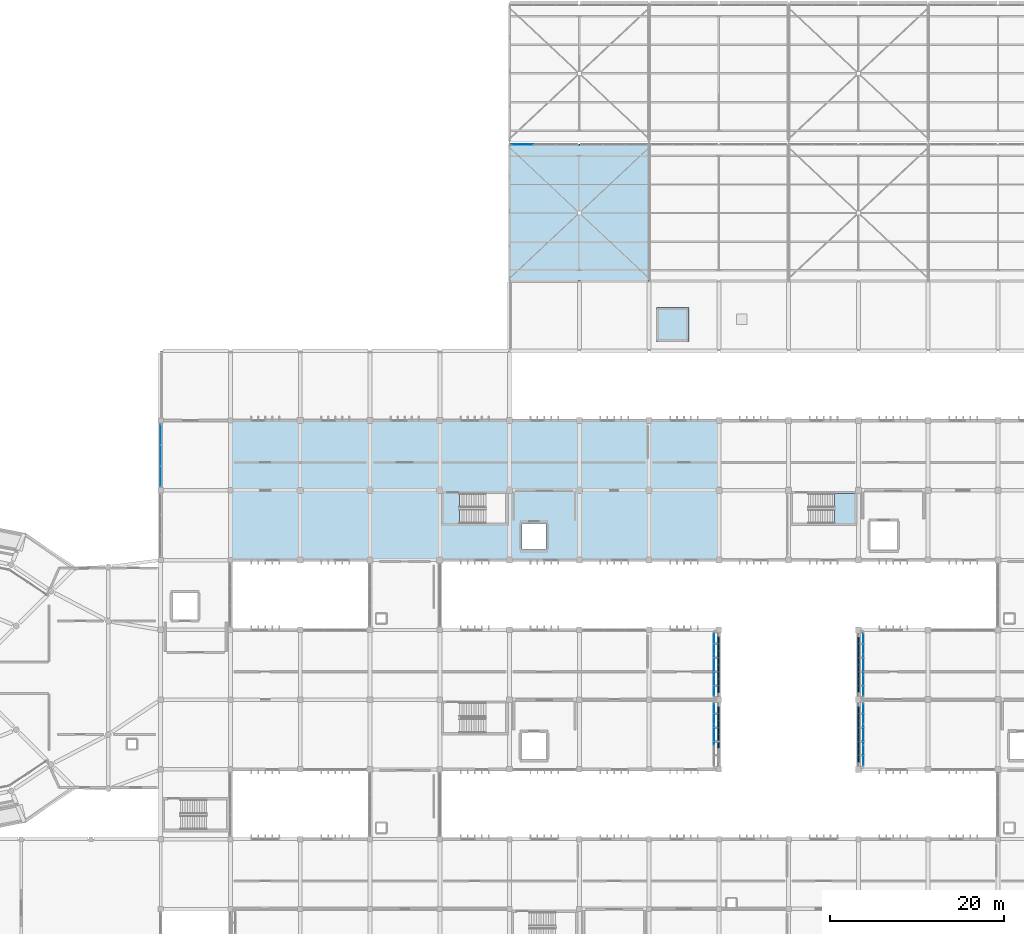
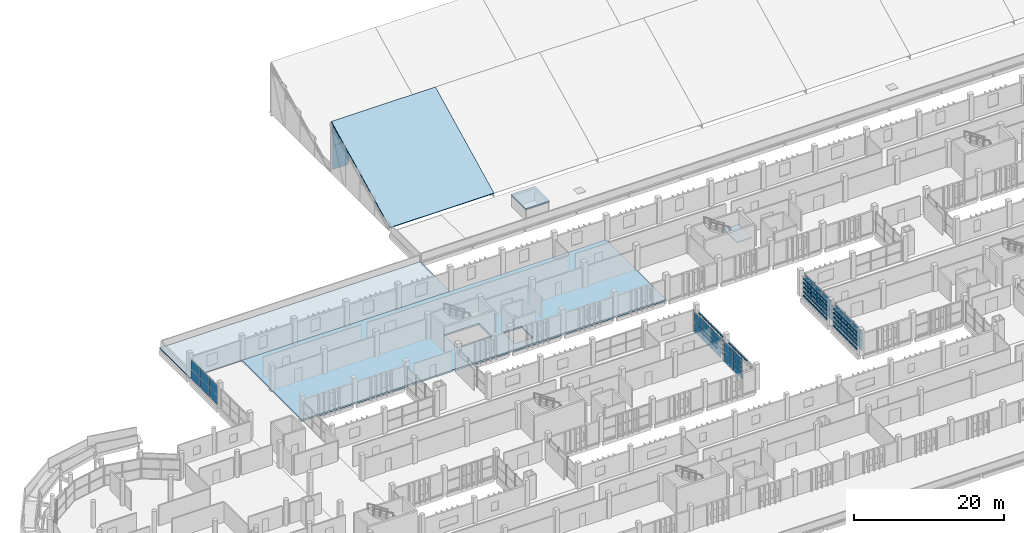
# One storey, part 93 of 137: 101 plates, 5 slabs, 7 elements without a shape of their own.
"""IFC4 building model written with IfcOpenShell, lengths in metres."""

from ifc_helpers import new_model, si_unit, direction, frame, origin, origin_2d, place, context, subcontext, project, spatial, polyline, rectangle, outline, extrude, material, layer, layer_set, type_object, element, aggregate, save


model = new_model("IFC4")

# Units and contexts
model_context = context("Model", 3, precision=1e-05, world=origin(), true_north=direction((0.0, 1.0)))
body_context = subcontext(model_context, "Body", "Model", "MODEL_VIEW")
ifc_project = project(units=[si_unit("LENGTHUNIT", "METRE"), si_unit("AREAUNIT", "SQUARE_METRE"), si_unit("VOLUMEUNIT", "CUBIC_METRE"), si_unit("PLANEANGLEUNIT", "RADIAN"), si_unit("MASSUNIT", "GRAM", prefix="KILO")], contexts=[model_context])

# Site, building, storey
site_placement = place(None, origin())
site = spatial("IfcSite", under=ifc_project, at=site_placement, CompositionType="ELEMENT")
building_placement = place(site_placement, origin())
building = spatial("IfcBuilding", under=site, at=building_placement, Name="Jelvoka-Kovrelna Polytechnic", CompositionType="ELEMENT")
storey_placement = place(building_placement, frame((0.0, 0.0, 9.60009765625)))
storey = spatial("IfcBuildingStorey", under=building, at=storey_placement, Name="L03", CompositionType="ELEMENT", Elevation=9.60009765625)

# Curtain wall, plates
ifc_material_1 = material(Name="Anodised aluminium 6063-T6", Category="aluminium")
ifc_layer_1 = layer(ifc_material_1, 0.159912109375)
ifc_layer_set_1 = layer_set([ifc_layer_1], Name="Anodised aluminium 6063-T6")
curtain_wall_type_1 = type_object("IfcCurtainWallType", Name="CW_Recessed_A", PredefinedType="NOTDEFINED", material=ifc_layer_set_1)
curtain_wall_1_placement = place(storey_placement, origin())
curtain_wall_1 = element("IfcCurtainWall", 1, at=curtain_wall_1_placement, inside=storey, type_object=curtain_wall_type_1, Name="L03 glazed curtain wall 025", PredefinedType="NOTDEFINED")
ifc_material_2 = material(Name="Solar-control double glazing", Category="glass")
ifc_layer_2 = layer(ifc_material_2, 0.028076171875)
ifc_layer_set_2 = layer_set([ifc_layer_2], Name="Solar-control double glazing")
plate_type_1 = type_object("IfcPlateType", Name="Panel_GP-01", PredefinedType="CURTAIN_PANEL", material=ifc_layer_set_2)
plate_1_placement = place(storey_placement, frame((111.43994140625, 38.385009765625, 0.0517578125), z_axis=(0.0, 0.0, 1.0), x_axis=(0.0, -1.0, 0.0)))
plate_1 = element("IfcPlate", 2, at=plate_1_placement, type_object=plate_type_1, Name="CW-01 panel 1.1", PredefinedType="CURTAIN_PANEL", context=body_context, shape_type="SweptSolid", body=[
    extrude(rectangle(XDim=2.326171875, YDim=0.028076171875, at=origin_2d()), origin(), (0.0, 0.0, 1.0), 1.60107421875),
])
plate_2_placement = place(storey_placement, frame((111.43994140625, 38.385009765625, 1.69677734375), z_axis=(0.0, 0.0, 1.0), x_axis=(0.0, -1.0, 0.0)))
plate_2 = element("IfcPlate", 3, at=plate_2_placement, type_object=plate_type_1, Name="CW-01 panel 1.2", PredefinedType="CURTAIN_PANEL", context=body_context, shape_type="SweptSolid", body=[
    extrude(rectangle(XDim=2.326171875, YDim=0.028076171875, at=origin_2d()), origin(), (0.0, 0.0, 1.0), 1.60107421875),
])
plate_3_placement = place(storey_placement, frame((111.43994140625, 36.0, 0.0517578125), z_axis=(0.0, 0.0, 1.0), x_axis=(0.0, -1.0, 0.0)))
plate_3 = element("IfcPlate", 4, at=plate_3_placement, type_object=plate_type_1, Name="CW-01 panel 2.1", PredefinedType="CURTAIN_PANEL", context=body_context, shape_type="SweptSolid", body=[
    extrude(rectangle(XDim=2.356201171875, YDim=0.028076171875, at=origin_2d()), origin(), (0.0, 0.0, 1.0), 1.60107421875),
])
plate_4_placement = place(storey_placement, frame((111.43994140625, 36.0, 1.69677734375), z_axis=(0.0, 0.0, 1.0), x_axis=(0.0, -1.0, 0.0)))
plate_4 = element("IfcPlate", 5, at=plate_4_placement, type_object=plate_type_1, Name="CW-01 panel 2.2", PredefinedType="CURTAIN_PANEL", context=body_context, shape_type="SweptSolid", body=[
    extrude(rectangle(XDim=2.356201171875, YDim=0.028076171875, at=origin_2d()), origin(), (0.0, 0.0, 1.0), 1.60107421875),
])
aggregate(curtain_wall_1, [plate_1, plate_2, plate_3, plate_4])

curtain_wall_2_placement = place(storey_placement, origin())
curtain_wall_2 = element("IfcCurtainWall", 6, at=curtain_wall_2_placement, inside=storey, type_object=curtain_wall_type_1, Name="L03 glazed curtain wall 026", PredefinedType="NOTDEFINED")
plate_5_placement = place(storey_placement, frame((111.43994140625, 46.385009765625, 0.0517578125), z_axis=(0.0, 0.0, 1.0), x_axis=(0.0, -1.0, 0.0)))
plate_5 = element("IfcPlate", 7, at=plate_5_placement, type_object=plate_type_1, Name="CW-01 panel 1.1", PredefinedType="CURTAIN_PANEL", context=body_context, shape_type="SweptSolid", body=[
    extrude(rectangle(XDim=2.326171875, YDim=0.028076171875, at=origin_2d()), origin(), (0.0, 0.0, 1.0), 1.60107421875),
])
plate_6_placement = place(storey_placement, frame((111.43994140625, 46.385009765625, 1.69677734375), z_axis=(0.0, 0.0, 1.0), x_axis=(0.0, -1.0, 0.0)))
plate_6 = element("IfcPlate", 8, at=plate_6_placement, type_object=plate_type_1, Name="CW-01 panel 1.2", PredefinedType="CURTAIN_PANEL", context=body_context, shape_type="SweptSolid", body=[
    extrude(rectangle(XDim=2.326171875, YDim=0.028076171875, at=origin_2d()), origin(), (0.0, 0.0, 1.0), 1.60107421875),
])
plate_7_placement = place(storey_placement, frame((111.43994140625, 44.0, 0.0517578125), z_axis=(0.0, 0.0, 1.0), x_axis=(0.0, -1.0, 0.0)))
plate_7 = element("IfcPlate", 9, at=plate_7_placement, type_object=plate_type_1, Name="CW-01 panel 2.1", PredefinedType="CURTAIN_PANEL", context=body_context, shape_type="SweptSolid", body=[
    extrude(rectangle(XDim=2.356201171875, YDim=0.028076171875, at=origin_2d()), origin(), (0.0, 0.0, 1.0), 1.60107421875),
])
plate_8_placement = place(storey_placement, frame((111.43994140625, 44.0, 1.69677734375), z_axis=(0.0, 0.0, 1.0), x_axis=(0.0, -1.0, 0.0)))
plate_8 = element("IfcPlate", 10, at=plate_8_placement, type_object=plate_type_1, Name="CW-01 panel 2.2", PredefinedType="CURTAIN_PANEL", context=body_context, shape_type="SweptSolid", body=[
    extrude(rectangle(XDim=2.356201171875, YDim=0.028076171875, at=origin_2d()), origin(), (0.0, 0.0, 1.0), 1.60107421875),
])
plate_9_placement = place(storey_placement, frame((111.43994140625, 41.614990234375, 0.0517578125), z_axis=(0.0, 0.0, 1.0), x_axis=(0.0, -1.0, 0.0)))
plate_9 = element("IfcPlate", 11, at=plate_9_placement, type_object=plate_type_1, Name="CW-01 panel 3.1", PredefinedType="CURTAIN_PANEL", context=body_context, shape_type="SweptSolid", body=[
    extrude(rectangle(XDim=2.326171875, YDim=0.028076171875, at=origin_2d()), origin(), (0.0, 0.0, 1.0), 1.60107421875),
])
plate_10_placement = place(storey_placement, frame((111.43994140625, 41.614990234375, 1.69677734375), z_axis=(0.0, 0.0, 1.0), x_axis=(0.0, -1.0, 0.0)))
plate_10 = element("IfcPlate", 12, at=plate_10_placement, type_object=plate_type_1, Name="CW-01 panel 3.2", PredefinedType="CURTAIN_PANEL", context=body_context, shape_type="SweptSolid", body=[
    extrude(rectangle(XDim=2.326171875, YDim=0.028076171875, at=origin_2d()), origin(), (0.0, 0.0, 1.0), 1.60107421875),
])
aggregate(curtain_wall_2, [plate_5, plate_6, plate_7, plate_8, plate_9, plate_10])

curtain_wall_3_placement = place(storey_placement, origin())
curtain_wall_3 = element("IfcCurtainWall", 13, at=curtain_wall_3_placement, inside=storey, type_object=curtain_wall_type_1, Name="L03 glazed curtain wall 058", PredefinedType="NOTDEFINED")
plate_11_placement = place(storey_placement, frame((128.56005859375, 33.614990234375, 0.0517578125), z_axis=(0.0, 0.0, 1.0), x_axis=(0.0, 1.0, 0.0)))
plate_11 = element("IfcPlate", 14, at=plate_11_placement, type_object=plate_type_1, Name="CW-01 panel 1.1", PredefinedType="CURTAIN_PANEL", context=body_context, shape_type="SweptSolid", body=[
    extrude(rectangle(XDim=2.326171875, YDim=0.028076171875, at=origin_2d()), origin(), (0.0, 0.0, 1.0), 1.60107421875),
])
plate_12_placement = place(storey_placement, frame((128.56005859375, 33.614990234375, 1.69677734375), z_axis=(0.0, 0.0, 1.0), x_axis=(0.0, 1.0, 0.0)))
plate_12 = element("IfcPlate", 15, at=plate_12_placement, type_object=plate_type_1, Name="CW-01 panel 1.2", PredefinedType="CURTAIN_PANEL", context=body_context, shape_type="SweptSolid", body=[
    extrude(rectangle(XDim=2.326171875, YDim=0.028076171875, at=origin_2d()), origin(), (0.0, 0.0, 1.0), 1.60107421875),
])
plate_13_placement = place(storey_placement, frame((128.56005859375, 36.0, 0.0517578125), z_axis=(0.0, 0.0, 1.0), x_axis=(0.0, 1.0, 0.0)))
plate_13 = element("IfcPlate", 16, at=plate_13_placement, type_object=plate_type_1, Name="CW-01 panel 2.1", PredefinedType="CURTAIN_PANEL", context=body_context, shape_type="SweptSolid", body=[
    extrude(rectangle(XDim=2.356201171875, YDim=0.028076171875, at=origin_2d()), origin(), (0.0, 0.0, 1.0), 1.60107421875),
])
plate_14_placement = place(storey_placement, frame((128.56005859375, 36.0, 1.69677734375), z_axis=(0.0, 0.0, 1.0), x_axis=(0.0, 1.0, 0.0)))
plate_14 = element("IfcPlate", 17, at=plate_14_placement, type_object=plate_type_1, Name="CW-01 panel 2.2", PredefinedType="CURTAIN_PANEL", context=body_context, shape_type="SweptSolid", body=[
    extrude(rectangle(XDim=2.356201171875, YDim=0.028076171875, at=origin_2d()), origin(), (0.0, 0.0, 1.0), 1.60107421875),
])
plate_15_placement = place(storey_placement, frame((128.56005859375, 38.385009765625, 0.0517578125), z_axis=(0.0, 0.0, 1.0), x_axis=(0.0, 1.0, 0.0)))
plate_15 = element("IfcPlate", 18, at=plate_15_placement, type_object=plate_type_1, Name="CW-01 panel 3.1", PredefinedType="CURTAIN_PANEL", context=body_context, shape_type="SweptSolid", body=[
    extrude(rectangle(XDim=2.326171875, YDim=0.028076171875, at=origin_2d()), origin(), (0.0, 0.0, 1.0), 1.60107421875),
])
plate_16_placement = place(storey_placement, frame((128.56005859375, 38.385009765625, 1.69677734375), z_axis=(0.0, 0.0, 1.0), x_axis=(0.0, 1.0, 0.0)))
plate_16 = element("IfcPlate", 19, at=plate_16_placement, type_object=plate_type_1, Name="CW-01 panel 3.2", PredefinedType="CURTAIN_PANEL", context=body_context, shape_type="SweptSolid", body=[
    extrude(rectangle(XDim=2.326171875, YDim=0.028076171875, at=origin_2d()), origin(), (0.0, 0.0, 1.0), 1.60107421875),
])
aggregate(curtain_wall_3, [plate_11, plate_12, plate_13, plate_14, plate_15, plate_16])

curtain_wall_4_placement = place(storey_placement, origin())
curtain_wall_4 = element("IfcCurtainWall", 20, at=curtain_wall_4_placement, inside=storey, type_object=curtain_wall_type_1, Name="L03 glazed curtain wall 059", PredefinedType="NOTDEFINED")
plate_17_placement = place(storey_placement, frame((128.56005859375, 41.614990234375, 0.0517578125), z_axis=(0.0, 0.0, 1.0), x_axis=(0.0, 1.0, 0.0)))
plate_17 = element("IfcPlate", 21, at=plate_17_placement, type_object=plate_type_1, Name="CW-01 panel 1.1", PredefinedType="CURTAIN_PANEL", context=body_context, shape_type="SweptSolid", body=[
    extrude(rectangle(XDim=2.326171875, YDim=0.028076171875, at=origin_2d()), origin(), (0.0, 0.0, 1.0), 1.60107421875),
])
plate_18_placement = place(storey_placement, frame((128.56005859375, 41.614990234375, 1.69677734375), z_axis=(0.0, 0.0, 1.0), x_axis=(0.0, 1.0, 0.0)))
plate_18 = element("IfcPlate", 22, at=plate_18_placement, type_object=plate_type_1, Name="CW-01 panel 1.2", PredefinedType="CURTAIN_PANEL", context=body_context, shape_type="SweptSolid", body=[
    extrude(rectangle(XDim=2.326171875, YDim=0.028076171875, at=origin_2d()), origin(), (0.0, 0.0, 1.0), 1.60107421875),
])
plate_19_placement = place(storey_placement, frame((128.56005859375, 44.0, 0.0517578125), z_axis=(0.0, 0.0, 1.0), x_axis=(0.0, 1.0, 0.0)))
plate_19 = element("IfcPlate", 23, at=plate_19_placement, type_object=plate_type_1, Name="CW-01 panel 2.1", PredefinedType="CURTAIN_PANEL", context=body_context, shape_type="SweptSolid", body=[
    extrude(rectangle(XDim=2.356201171875, YDim=0.028076171875, at=origin_2d()), origin(), (0.0, 0.0, 1.0), 1.60107421875),
])
plate_20_placement = place(storey_placement, frame((128.56005859375, 44.0, 1.69677734375), z_axis=(0.0, 0.0, 1.0), x_axis=(0.0, 1.0, 0.0)))
plate_20 = element("IfcPlate", 24, at=plate_20_placement, type_object=plate_type_1, Name="CW-01 panel 2.2", PredefinedType="CURTAIN_PANEL", context=body_context, shape_type="SweptSolid", body=[
    extrude(rectangle(XDim=2.356201171875, YDim=0.028076171875, at=origin_2d()), origin(), (0.0, 0.0, 1.0), 1.60107421875),
])
plate_21_placement = place(storey_placement, frame((128.56005859375, 46.385009765625, 0.0517578125), z_axis=(0.0, 0.0, 1.0), x_axis=(0.0, 1.0, 0.0)))
plate_21 = element("IfcPlate", 25, at=plate_21_placement, type_object=plate_type_1, Name="CW-01 panel 3.1", PredefinedType="CURTAIN_PANEL", context=body_context, shape_type="SweptSolid", body=[
    extrude(rectangle(XDim=2.326171875, YDim=0.028076171875, at=origin_2d()), origin(), (0.0, 0.0, 1.0), 1.60107421875),
])
plate_22_placement = place(storey_placement, frame((128.56005859375, 46.385009765625, 1.69677734375), z_axis=(0.0, 0.0, 1.0), x_axis=(0.0, 1.0, 0.0)))
plate_22 = element("IfcPlate", 26, at=plate_22_placement, type_object=plate_type_1, Name="CW-01 panel 3.2", PredefinedType="CURTAIN_PANEL", context=body_context, shape_type="SweptSolid", body=[
    extrude(rectangle(XDim=2.326171875, YDim=0.028076171875, at=origin_2d()), origin(), (0.0, 0.0, 1.0), 1.60107421875),
])
aggregate(curtain_wall_4, [plate_17, plate_18, plate_19, plate_20, plate_21, plate_22])

ifc_material_3 = material(Name="Anodised aluminium 6063-T6", Category="aluminium")
ifc_layer_3 = layer(ifc_material_3, 0.199951171875)
ifc_layer_set_3 = layer_set([ifc_layer_3], Name="Anodised aluminium 6063-T6")
curtain_wall_type_2 = type_object("IfcCurtainWallType", Name="CW_Clerestory", PredefinedType="NOTDEFINED", material=ifc_layer_set_3)
curtain_wall_5_placement = place(storey_placement, origin())
curtain_wall_5 = element("IfcCurtainWall", 27, at=curtain_wall_5_placement, inside=storey, type_object=curtain_wall_type_2, Name="L03 glazed curtain wall 183", PredefinedType="NOTDEFINED")
ifc_material_4 = material(Name="Solar-control double glazing", Category="glass")
ifc_layer_4 = layer(ifc_material_4, 0.035888671875)
ifc_layer_set_4 = layer_set([ifc_layer_4], Name="Solar-control double glazing")
plate_type_2 = type_object("IfcPlateType", Name="Panel_GP-03", PredefinedType="CURTAIN_PANEL", material=ifc_layer_set_4)
plate_23_placement = place(storey_placement, frame((89.450927734375, 103.64990234375, 0.511962890625), z_axis=(0.0, 0.0, 1.0), x_axis=(1.0, 0.0, 0.0)))
plate_23 = element("IfcPlate", 28, at=plate_23_placement, type_object=plate_type_2, Name="CW-03 panel 1.1", PredefinedType="CURTAIN_PANEL", context=body_context, shape_type="SweptSolid", body=[
    extrude(rectangle(XDim=2.477783203125, YDim=0.035888671875, at=origin_2d()), origin(), (0.0, 0.0, 1.0), 3.81103515625),
])
plate_24_placement = place(storey_placement, frame((89.450927734375, 103.64990234375, 4.376953125), z_axis=(0.0, 0.0, 1.0), x_axis=(1.0, 0.0, 0.0)))
plate_24 = element("IfcPlate", 29, at=plate_24_placement, type_object=plate_type_2, Name="CW-03 panel 1.2", PredefinedType="CURTAIN_PANEL", context=body_context, shape_type="SweptSolid", body=[
    extrude(rectangle(XDim=2.477783203125, YDim=0.035888671875, at=origin_2d()), origin(), (0.0, 0.0, 1.0), 3.81103515625),
])
aggregate(curtain_wall_5, [plate_23, plate_24])

ifc_material_5 = material(Name="Anodised aluminium 6063-T6", Category="aluminium")
ifc_layer_5 = layer(ifc_material_5, 0.179931640625)
ifc_layer_set_5 = layer_set([ifc_layer_5], Name="Anodised aluminium 6063-T6")
curtain_wall_type_3 = type_object("IfcCurtainWallType", Name="CW_Pavilion", PredefinedType="NOTDEFINED", material=ifc_layer_set_5)
curtain_wall_6_placement = place(storey_placement, origin())
curtain_wall_6 = element("IfcCurtainWall", 30, at=curtain_wall_6_placement, inside=storey, type_object=curtain_wall_type_3, Name="L03 glazed curtain wall 131", PredefinedType="NOTDEFINED")
ifc_material_6 = material(Name="Solar-control double glazing", Category="glass")
ifc_layer_6 = layer(ifc_material_6, 0.030029296875)
ifc_layer_set_6 = layer_set([ifc_layer_6], Name="Solar-control double glazing")
plate_type_3 = type_object("IfcPlateType", Name="Panel_GP-05", PredefinedType="CURTAIN_PANEL", material=ifc_layer_set_6)
plate_25_placement = place(storey_placement, frame((48.0, 65.6162109375, 0.056884765625), z_axis=(0.0, 0.0, 1.0), x_axis=(0.0, 1.0, 0.0)))
plate_25 = element("IfcPlate", 31, at=plate_25_placement, type_object=plate_type_3, Name="CW-05 panel 1.1", PredefinedType="CURTAIN_PANEL", context=body_context, shape_type="SweptSolid", body=[
    extrude(rectangle(XDim=2.318603515625, YDim=0.030029296875, at=origin_2d()), origin(), (0.0, 0.0, 1.0), 1.531005859375),
])
plate_26_placement = place(storey_placement, frame((48.0, 65.6162109375, 1.636962890625), z_axis=(0.0, 0.0, 1.0), x_axis=(0.0, 1.0, 0.0)))
plate_26 = element("IfcPlate", 32, at=plate_26_placement, type_object=plate_type_3, Name="CW-05 panel 1.2", PredefinedType="CURTAIN_PANEL", context=body_context, shape_type="SweptSolid", body=[
    extrude(rectangle(XDim=2.318603515625, YDim=0.030029296875, at=origin_2d()), origin(), (0.0, 0.0, 1.0), 1.531005859375),
])
plate_27_placement = place(storey_placement, frame((48.0, 68.0, 0.056884765625), z_axis=(0.0, 0.0, 1.0), x_axis=(0.0, 1.0, 0.0)))
plate_27 = element("IfcPlate", 33, at=plate_27_placement, type_object=plate_type_3, Name="CW-05 panel 2.1", PredefinedType="CURTAIN_PANEL", context=body_context, shape_type="SweptSolid", body=[
    extrude(rectangle(XDim=2.35107421875, YDim=0.030029296875, at=origin_2d()), origin(), (0.0, 0.0, 1.0), 1.531005859375),
])
plate_28_placement = place(storey_placement, frame((48.0, 68.0, 1.636962890625), z_axis=(0.0, 0.0, 1.0), x_axis=(0.0, 1.0, 0.0)))
plate_28 = element("IfcPlate", 34, at=plate_28_placement, type_object=plate_type_3, Name="CW-05 panel 2.2", PredefinedType="CURTAIN_PANEL", context=body_context, shape_type="SweptSolid", body=[
    extrude(rectangle(XDim=2.35107421875, YDim=0.030029296875, at=origin_2d()), origin(), (0.0, 0.0, 1.0), 1.531005859375),
])
plate_29_placement = place(storey_placement, frame((48.0, 70.3837890625, 0.056884765625), z_axis=(0.0, 0.0, 1.0), x_axis=(0.0, 1.0, 0.0)))
plate_29 = element("IfcPlate", 35, at=plate_29_placement, type_object=plate_type_3, Name="CW-05 panel 3.1", PredefinedType="CURTAIN_PANEL", context=body_context, shape_type="SweptSolid", body=[
    extrude(rectangle(XDim=2.318603515625, YDim=0.030029296875, at=origin_2d()), origin(), (0.0, 0.0, 1.0), 1.531005859375),
])
plate_30_placement = place(storey_placement, frame((48.0, 70.3837890625, 1.636962890625), z_axis=(0.0, 0.0, 1.0), x_axis=(0.0, 1.0, 0.0)))
plate_30 = element("IfcPlate", 36, at=plate_30_placement, type_object=plate_type_3, Name="CW-05 panel 3.2", PredefinedType="CURTAIN_PANEL", context=body_context, shape_type="SweptSolid", body=[
    extrude(rectangle(XDim=2.318603515625, YDim=0.030029296875, at=origin_2d()), origin(), (0.0, 0.0, 1.0), 1.531005859375),
])
aggregate(curtain_wall_6, [plate_25, plate_26, plate_27, plate_28, plate_29, plate_30])

# Plates
ifc_material_7 = material(Name="Perforated fired terracotta block", Category="masonry")
ifc_layer_7 = layer(ifc_material_7, 0.179931640625)
ifc_layer_set_7 = layer_set([ifc_layer_7], Name="Perforated fired terracotta block")
plate_type_4 = type_object("IfcPlateType", Name="Screen_Terracotta_TP02", PredefinedType="USERDEFINED", material=ifc_layer_set_7)
for number, where, z_axis, x_axis, name in (
    (37, (111.97998046875, 35.199951171875, 2.9697265625), (0.0, 0.0, 1.0), (0.0, 1.0, 0.0), "L03 perforated terracotta lattice band 0250"),
    (38, (111.97998046875, 36.800048828125, 0.19970703125), (0.0, 0.0, 1.0), (0.0, 1.0, 0.0), "L03 perforated terracotta lattice band 0251"),
    (39, (111.97998046875, 36.800048828125, 0.892578125), (0.0, 0.0, 1.0), (0.0, 1.0, 0.0), "L03 perforated terracotta lattice band 0252"),
    (40, (111.97998046875, 36.800048828125, 1.5849609375), (0.0, 0.0, 1.0), (0.0, 1.0, 0.0), "L03 perforated terracotta lattice band 0253"),
    (41, (111.97998046875, 36.800048828125, 2.27734375), (0.0, 0.0, 1.0), (0.0, 1.0, 0.0), "L03 perforated terracotta lattice band 0254"),
    (42, (111.97998046875, 36.800048828125, 2.9697265625), (0.0, 0.0, 1.0), (0.0, 1.0, 0.0), "L03 perforated terracotta lattice band 0255"),
    (43, (111.97998046875, 38.39990234375, 0.19970703125), (0.0, 0.0, 1.0), (0.0, 1.0, 0.0), "L03 perforated terracotta lattice band 0256"),
    (44, (111.97998046875, 38.39990234375, 0.892578125), (0.0, 0.0, 1.0), (0.0, 1.0, 0.0), "L03 perforated terracotta lattice band 0257"),
    (45, (111.97998046875, 38.39990234375, 1.5849609375), (0.0, 0.0, 1.0), (0.0, 1.0, 0.0), "L03 perforated terracotta lattice band 0258"),
    (46, (111.97998046875, 38.39990234375, 2.27734375), (0.0, 0.0, 1.0), (0.0, 1.0, 0.0), "L03 perforated terracotta lattice band 0259"),
    (47, (111.97998046875, 38.39990234375, 2.9697265625), (0.0, 0.0, 1.0), (0.0, 1.0, 0.0), "L03 perforated terracotta lattice band 0260"),
    (48, (111.97998046875, 41.60009765625, 0.19970703125), (0.0, 0.0, 1.0), (0.0, 1.0, 0.0), "L03 perforated terracotta lattice band 0261"),
    (49, (111.97998046875, 41.60009765625, 0.892578125), (0.0, 0.0, 1.0), (0.0, 1.0, 0.0), "L03 perforated terracotta lattice band 0262"),
    (50, (111.97998046875, 41.60009765625, 1.5849609375), (0.0, 0.0, 1.0), (0.0, 1.0, 0.0), "L03 perforated terracotta lattice band 0263"),
    (51, (111.97998046875, 41.60009765625, 2.27734375), (0.0, 0.0, 1.0), (0.0, 1.0, 0.0), "L03 perforated terracotta lattice band 0264"),
    (52, (111.97998046875, 41.60009765625, 2.9697265625), (0.0, 0.0, 1.0), (0.0, 1.0, 0.0), "L03 perforated terracotta lattice band 0265"),
    (53, (111.97998046875, 43.199951171875, 0.19970703125), (0.0, 0.0, 1.0), (0.0, 1.0, 0.0), "L03 perforated terracotta lattice band 0266"),
    (54, (111.97998046875, 43.199951171875, 0.892578125), (0.0, 0.0, 1.0), (0.0, 1.0, 0.0), "L03 perforated terracotta lattice band 0267"),
    (55, (111.97998046875, 43.199951171875, 1.5849609375), (0.0, 0.0, 1.0), (0.0, 1.0, 0.0), "L03 perforated terracotta lattice band 0268"),
    (56, (111.97998046875, 43.199951171875, 2.27734375), (0.0, 0.0, 1.0), (0.0, 1.0, 0.0), "L03 perforated terracotta lattice band 0269"),
    (57, (111.97998046875, 43.199951171875, 2.9697265625), (0.0, 0.0, 1.0), (0.0, 1.0, 0.0), "L03 perforated terracotta lattice band 0270"),
    (58, (111.97998046875, 44.800048828125, 0.19970703125), (0.0, 0.0, 1.0), (0.0, 1.0, 0.0), "L03 perforated terracotta lattice band 0271"),
    (59, (111.97998046875, 44.800048828125, 0.892578125), (0.0, 0.0, 1.0), (0.0, 1.0, 0.0), "L03 perforated terracotta lattice band 0272"),
    (60, (111.97998046875, 44.800048828125, 1.5849609375), (0.0, 0.0, 1.0), (0.0, 1.0, 0.0), "L03 perforated terracotta lattice band 0273"),
    (61, (111.97998046875, 44.800048828125, 2.27734375), (0.0, 0.0, 1.0), (0.0, 1.0, 0.0), "L03 perforated terracotta lattice band 0274"),
    (62, (111.97998046875, 44.800048828125, 2.9697265625), (0.0, 0.0, 1.0), (0.0, 1.0, 0.0), "L03 perforated terracotta lattice band 0275"),
    (63, (111.97998046875, 46.39990234375, 0.19970703125), (0.0, 0.0, 1.0), (0.0, 1.0, 0.0), "L03 perforated terracotta lattice band 0276"),
    (64, (111.97998046875, 46.39990234375, 0.892578125), (0.0, 0.0, 1.0), (0.0, 1.0, 0.0), "L03 perforated terracotta lattice band 0277"),
    (65, (111.97998046875, 46.39990234375, 1.5849609375), (0.0, 0.0, 1.0), (0.0, 1.0, 0.0), "L03 perforated terracotta lattice band 0278"),
    (66, (111.97998046875, 46.39990234375, 2.27734375), (0.0, 0.0, 1.0), (0.0, 1.0, 0.0), "L03 perforated terracotta lattice band 0279"),
    (67, (111.97998046875, 46.39990234375, 2.9697265625), (0.0, 0.0, 1.0), (0.0, 1.0, 0.0), "L03 perforated terracotta lattice band 0280"),
):
    element("IfcPlate", number, at=place(storey_placement, frame(where, z_axis=z_axis, x_axis=x_axis)), inside=storey, type_object=plate_type_4, Name=name, ObjectType="SCREEN PANEL", PredefinedType="USERDEFINED", context=body_context, shape_type="SweptSolid", body=[
        extrude(rectangle(XDim=1.60009765625, YDim=0.179931640625, at=origin_2d()), origin(), (0.0, 0.0, 1.0), 0.239990234375),
    ])
ifc_material_8 = material(Name="Perforated fired terracotta block", Category="masonry")
ifc_layer_8 = layer(ifc_material_8, 0.14990234375)
ifc_layer_set_8 = layer_set([ifc_layer_8], Name="Perforated fired terracotta block")
plate_type_5 = type_object("IfcPlateType", Name="Screen_Terracotta_TP03", PredefinedType="USERDEFINED", material=ifc_layer_set_8)
for number, where, z_axis, x_axis, name in (
    (68, (128.02001953125, 33.60009765625, 0.18994140625), (0.0, 0.0, 1.0), (0.0, 1.0, 0.0), "L03 perforated terracotta lattice band 0581"),
    (69, (128.02001953125, 33.60009765625, 0.88232421875), (0.0, 0.0, 1.0), (0.0, 1.0, 0.0), "L03 perforated terracotta lattice band 0582"),
    (70, (128.02001953125, 33.60009765625, 1.57470703125), (0.0, 0.0, 1.0), (0.0, 1.0, 0.0), "L03 perforated terracotta lattice band 0583"),
    (71, (128.02001953125, 33.60009765625, 2.267578125), (0.0, 0.0, 1.0), (0.0, 1.0, 0.0), "L03 perforated terracotta lattice band 0584"),
    (72, (128.02001953125, 33.60009765625, 2.9599609375), (0.0, 0.0, 1.0), (0.0, 1.0, 0.0), "L03 perforated terracotta lattice band 0585"),
    (73, (128.02001953125, 35.199951171875, 0.18994140625), (0.0, 0.0, 1.0), (0.0, 1.0, 0.0), "L03 perforated terracotta lattice band 0586"),
    (74, (128.02001953125, 35.199951171875, 0.88232421875), (0.0, 0.0, 1.0), (0.0, 1.0, 0.0), "L03 perforated terracotta lattice band 0587"),
    (75, (128.02001953125, 35.199951171875, 1.57470703125), (0.0, 0.0, 1.0), (0.0, 1.0, 0.0), "L03 perforated terracotta lattice band 0588"),
    (76, (128.02001953125, 35.199951171875, 2.267578125), (0.0, 0.0, 1.0), (0.0, 1.0, 0.0), "L03 perforated terracotta lattice band 0589"),
    (77, (128.02001953125, 35.199951171875, 2.9599609375), (0.0, 0.0, 1.0), (0.0, 1.0, 0.0), "L03 perforated terracotta lattice band 0590"),
    (78, (128.02001953125, 36.800048828125, 0.18994140625), (0.0, 0.0, 1.0), (0.0, 1.0, 0.0), "L03 perforated terracotta lattice band 0591"),
    (79, (128.02001953125, 36.800048828125, 0.88232421875), (0.0, 0.0, 1.0), (0.0, 1.0, 0.0), "L03 perforated terracotta lattice band 0592"),
    (80, (128.02001953125, 36.800048828125, 1.57470703125), (0.0, 0.0, 1.0), (0.0, 1.0, 0.0), "L03 perforated terracotta lattice band 0593"),
    (81, (128.02001953125, 36.800048828125, 2.267578125), (0.0, 0.0, 1.0), (0.0, 1.0, 0.0), "L03 perforated terracotta lattice band 0594"),
    (82, (128.02001953125, 36.800048828125, 2.9599609375), (0.0, 0.0, 1.0), (0.0, 1.0, 0.0), "L03 perforated terracotta lattice band 0595"),
    (83, (128.02001953125, 38.39990234375, 0.18994140625), (0.0, 0.0, 1.0), (0.0, 1.0, 0.0), "L03 perforated terracotta lattice band 0596"),
    (84, (128.02001953125, 38.39990234375, 0.88232421875), (0.0, 0.0, 1.0), (0.0, 1.0, 0.0), "L03 perforated terracotta lattice band 0597"),
    (85, (128.02001953125, 38.39990234375, 1.57470703125), (0.0, 0.0, 1.0), (0.0, 1.0, 0.0), "L03 perforated terracotta lattice band 0598"),
    (86, (128.02001953125, 38.39990234375, 2.267578125), (0.0, 0.0, 1.0), (0.0, 1.0, 0.0), "L03 perforated terracotta lattice band 0599"),
    (87, (128.02001953125, 38.39990234375, 2.9599609375), (0.0, 0.0, 1.0), (0.0, 1.0, 0.0), "L03 perforated terracotta lattice band 0600"),
    (88, (128.02001953125, 41.60009765625, 0.18994140625), (0.0, 0.0, 1.0), (0.0, 1.0, 0.0), "L03 perforated terracotta lattice band 0601"),
    (89, (128.02001953125, 41.60009765625, 0.88232421875), (0.0, 0.0, 1.0), (0.0, 1.0, 0.0), "L03 perforated terracotta lattice band 0602"),
    (90, (128.02001953125, 41.60009765625, 1.57470703125), (0.0, 0.0, 1.0), (0.0, 1.0, 0.0), "L03 perforated terracotta lattice band 0603"),
    (91, (128.02001953125, 41.60009765625, 2.267578125), (0.0, 0.0, 1.0), (0.0, 1.0, 0.0), "L03 perforated terracotta lattice band 0604"),
    (92, (128.02001953125, 41.60009765625, 2.9599609375), (0.0, 0.0, 1.0), (0.0, 1.0, 0.0), "L03 perforated terracotta lattice band 0605"),
    (93, (128.02001953125, 43.199951171875, 0.18994140625), (0.0, 0.0, 1.0), (0.0, 1.0, 0.0), "L03 perforated terracotta lattice band 0606"),
    (94, (128.02001953125, 43.199951171875, 0.88232421875), (0.0, 0.0, 1.0), (0.0, 1.0, 0.0), "L03 perforated terracotta lattice band 0607"),
    (95, (128.02001953125, 43.199951171875, 1.57470703125), (0.0, 0.0, 1.0), (0.0, 1.0, 0.0), "L03 perforated terracotta lattice band 0608"),
    (96, (128.02001953125, 43.199951171875, 2.267578125), (0.0, 0.0, 1.0), (0.0, 1.0, 0.0), "L03 perforated terracotta lattice band 0609"),
    (97, (128.02001953125, 43.199951171875, 2.9599609375), (0.0, 0.0, 1.0), (0.0, 1.0, 0.0), "L03 perforated terracotta lattice band 0610"),
    (98, (128.02001953125, 44.800048828125, 0.18994140625), (0.0, 0.0, 1.0), (0.0, 1.0, 0.0), "L03 perforated terracotta lattice band 0611"),
    (99, (128.02001953125, 44.800048828125, 0.88232421875), (0.0, 0.0, 1.0), (0.0, 1.0, 0.0), "L03 perforated terracotta lattice band 0612"),
    (100, (128.02001953125, 44.800048828125, 1.57470703125), (0.0, 0.0, 1.0), (0.0, 1.0, 0.0), "L03 perforated terracotta lattice band 0613"),
    (101, (128.02001953125, 44.800048828125, 2.267578125), (0.0, 0.0, 1.0), (0.0, 1.0, 0.0), "L03 perforated terracotta lattice band 0614"),
    (102, (128.02001953125, 44.800048828125, 2.9599609375), (0.0, 0.0, 1.0), (0.0, 1.0, 0.0), "L03 perforated terracotta lattice band 0615"),
    (103, (128.02001953125, 46.39990234375, 0.18994140625), (0.0, 0.0, 1.0), (0.0, 1.0, 0.0), "L03 perforated terracotta lattice band 0616"),
    (104, (128.02001953125, 46.39990234375, 0.88232421875), (0.0, 0.0, 1.0), (0.0, 1.0, 0.0), "L03 perforated terracotta lattice band 0617"),
    (105, (128.02001953125, 46.39990234375, 1.57470703125), (0.0, 0.0, 1.0), (0.0, 1.0, 0.0), "L03 perforated terracotta lattice band 0618"),
    (106, (128.02001953125, 46.39990234375, 2.267578125), (0.0, 0.0, 1.0), (0.0, 1.0, 0.0), "L03 perforated terracotta lattice band 0619"),
    (107, (128.02001953125, 46.39990234375, 2.9599609375), (0.0, 0.0, 1.0), (0.0, 1.0, 0.0), "L03 perforated terracotta lattice band 0620"),
):
    element("IfcPlate", number, at=place(storey_placement, frame(where, z_axis=z_axis, x_axis=x_axis)), inside=storey, type_object=plate_type_5, Name=name, ObjectType="SCREEN PANEL", PredefinedType="USERDEFINED", context=body_context, shape_type="SweptSolid", body=[
        extrude(rectangle(XDim=1.56005859375, YDim=0.14990234375, at=origin_2d()), origin(), (0.0, 0.0, 1.0), 0.260009765625),
    ])

# Slabs
ifc_material_9 = material(Name="Concrete C35/45", Category="concrete")
ifc_layer_9 = layer(ifc_material_9, 0.264892578125)
ifc_layer_set_9 = layer_set([ifc_layer_9], Name="Concrete C35/45")
slab_type_1 = type_object("IfcSlabType", Name="Slab_Floor_265", PredefinedType="FLOOR", material=ifc_layer_set_9)
slab_1_placement = place(storey_placement, frame((0.0, 0.0, -0.26513671875)))
element("IfcSlab", 108, at=slab_1_placement, inside=storey, type_object=slab_type_1, Name="L03 B3W structural slab", PredefinedType="FLOOR", context=body_context, shape_type="SweptSolid", body=[
    extrude(outline(polyline([(56.0, 56.0), (112.0, 56.0), (112.0, 72.0), (56.0, 72.0), (56.0, 56.0)]), holes=[polyline([(89.39990234375, 57.199951171875), (92.199951171875, 57.199951171875), (92.199951171875, 60.199951171875), (89.39990234375, 60.199951171875), (89.39990234375, 57.199951171875)]), polyline([(82.264892578125, 60.199951171875), (87.60009765625, 60.199951171875), (87.60009765625, 63.639892578125), (82.264892578125, 63.639892578125), (82.264892578125, 60.199951171875)])]), origin(), (0.0, 0.0, 1.0), 0.26513671875),
])
ifc_material_10 = material(Name="Concrete C40/50", Category="concrete")
ifc_layer_10 = layer(ifc_material_10, 0.18994140625)
ifc_layer_set_10 = layer_set([ifc_layer_10], Name="Concrete C40/50")
slab_type_2 = type_object("IfcSlabType", Name="Slab_Roof_Canopy_190", PredefinedType="ROOF", material=ifc_layer_set_10)
slab_2_placement = place(storey_placement, frame((0.0, 0.0, -0.190185546875)))
element("IfcSlab", 109, at=slab_2_placement, inside=storey, type_object=slab_type_2, Name="L03 north link gallery canopy roof", PredefinedType="ROOF", context=body_context, shape_type="SweptSolid", body=[
    extrude(outline(polyline([(48.0, 72.0), (88.0, 72.0), (88.0, 80.0), (48.0, 80.0), (48.0, 72.0)])), origin(), (0.0, 0.0, 1.0), 0.190185546875),
])
ifc_material_11 = material(Name="Concrete C35/45", Category="concrete")
ifc_layer_11 = layer(ifc_material_11, 0.2099609375)
ifc_layer_set_11 = layer_set([ifc_layer_11], Name="Concrete C35/45")
slab_type_3 = type_object("IfcSlabType", Name="Slab_Roof_Flat_210", PredefinedType="ROOF", material=ifc_layer_set_11)
slab_3_placement = place(storey_placement, frame((0.0, 0.0, 1.7998046875)))
element("IfcSlab", 110, at=slab_3_placement, inside=storey, type_object=slab_type_3, Name="L03 lift overrun flat roof cap LF-G1", PredefinedType="ROOF", context=body_context, shape_type="SweptSolid", body=[
    extrude(outline(polyline([(104.85009765625, 81.050048828125), (108.550048828125, 81.050048828125), (108.550048828125, 84.949951171875), (104.85009765625, 84.949951171875), (104.85009765625, 81.050048828125)])), origin(), (0.0, 0.0, 1.0), 0.210205078125),
])
ifc_material_12 = material(Name="Precast concrete C40/50", Category="concrete")
ifc_layer_12 = layer(ifc_material_12, 0.179931640625)
ifc_layer_set_12 = layer_set([ifc_layer_12], Name="Precast concrete C40/50")
slab_type_4 = type_object("IfcSlabType", Name="Slab_Roof_Sawtooth_180", PredefinedType="ROOF", material=ifc_layer_set_12)
slab_4_placement = place(storey_placement, frame((88.0, 88.0, 0.639892578125), z_axis=(0.0, -0.4472135955, 0.894427191), x_axis=(1.0, 0.0, 0.0)))
element("IfcSlab", 111, at=slab_4_placement, inside=storey, type_object=slab_type_4, Name="V1 sawtooth south roof deck bay 1.1", PredefinedType="ROOF", context=body_context, shape_type="SweptSolid", body=[
    extrude(outline(polyline([(0.0, 0.0), (16.0, 0.0), (16.0, 17.441439407505076), (0.0, 17.441439407505076), (0.0, 0.0)])), origin(), (0.0, 0.0, -1.0), 0.179931640625),
])

# Stair, slab
ifc_material_13 = material(Name="Concrete C35/45", Category="concrete")
stair_type = type_object("IfcStairType", Name="Stair_Dogleg_1580", PredefinedType="TWO_STRAIGHT_RUN_STAIR", material=ifc_material_13)
stair_placement = place(storey_placement, origin())
stair = element("IfcStair", 112, at=stair_placement, inside=storey, type_object=stair_type, Name="L03 ST11", PredefinedType="TWO_STRAIGHT_RUN_STAIR")
ifc_material_14 = material(Name="Concrete C35/45", Category="concrete")
ifc_layer_13 = layer(ifc_material_14, 0.199951171875)
ifc_layer_set_13 = layer_set([ifc_layer_13], Name="Concrete C35/45")
slab_type_5 = type_object("IfcSlabType", Name="Slab_Stair_Landing_200", PredefinedType="LANDING", material=ifc_layer_set_13)
slab_5_placement = place(storey_placement, frame((0.0, 0.0, 1.89990234375)))
slab_5 = element("IfcSlab", 113, at=slab_5_placement, type_object=slab_type_5, Name="ST11 landing 1", PredefinedType="LANDING", context=body_context, shape_type="SweptSolid", body=[
    extrude(outline(polyline([(125.27490234375, 60.199951171875), (127.60009765625, 60.199951171875), (127.60009765625, 63.639892578125), (125.27490234375, 63.639892578125), (125.27490234375, 60.199951171875)])), origin(), (0.0, 0.0, 1.0), 0.199951171875),
])
aggregate(stair, [slab_5])

save(model, "model.ifc")
